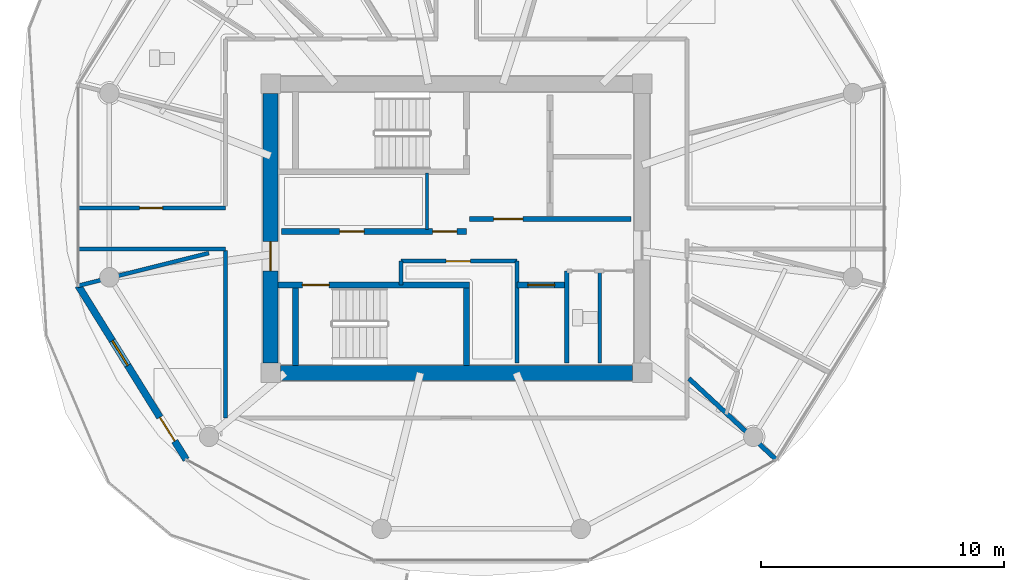
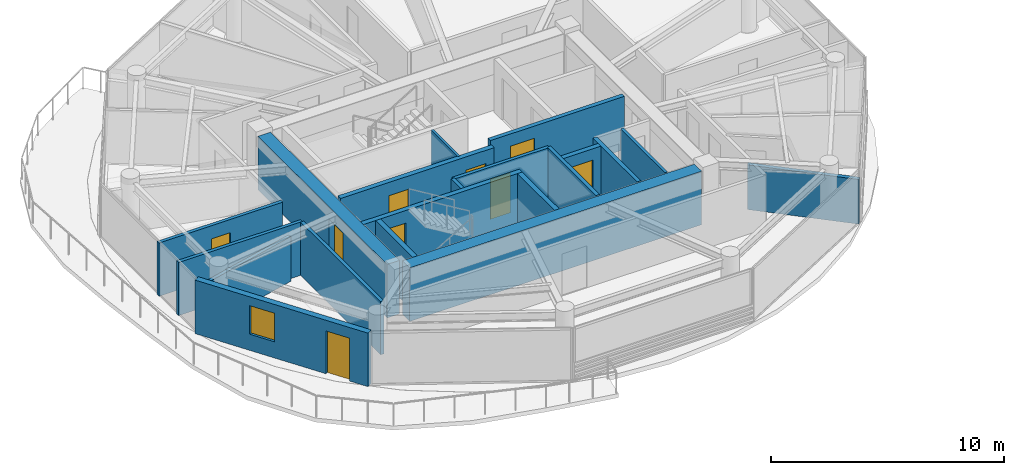
# One storey, part 13 of 25: 20 walls, 9 doors, 1 window, 10 openings.
"""IFC4 building model written with IfcOpenShell, lengths in metres."""

from ifc_helpers import new_model, si_unit, direction, frame, frame_2d, origin, place, context, subcontext, project, spatial, rectangle, extrude, source, transform, mapped, material, layer, layer_set, type_object, type_shapes, element, fill, save


model = new_model("IFC4")

# Units and contexts
model_context = context("Model", 3, precision=1e-05, world=origin(), true_north=direction((0.0, 1.0)))
body_context = subcontext(model_context, "Body", "Model", "MODEL_VIEW")
ifc_project = project(units=[si_unit("LENGTHUNIT", "METRE"), si_unit("AREAUNIT", "SQUARE_METRE"), si_unit("VOLUMEUNIT", "CUBIC_METRE"), si_unit("PLANEANGLEUNIT", "RADIAN"), si_unit("MASSUNIT", "GRAM", prefix="KILO")], contexts=[model_context])

# Site, building, storey
site_placement = place(None, origin())
site = spatial("IfcSite", under=ifc_project, at=site_placement, CompositionType="ELEMENT")
building_placement = place(site_placement, origin())
building = spatial("IfcBuilding", under=site, at=building_placement, Name="Norrkilde Senior Care Towers", CompositionType="ELEMENT")
storey_placement = place(building_placement, frame((0.0, 0.0, 161.75)))
storey = spatial("IfcBuildingStorey", under=building, at=storey_placement, Name="L50", CompositionType="ELEMENT", Elevation=161.75)

# Wall
ifc_material_1 = material(Name="Concrete C50/60", Category="concrete")
ifc_layer_1 = layer(ifc_material_1, 0.6201171875)
ifc_layer_set_1 = layer_set([ifc_layer_1], Name="Concrete C50/60")
wall_type_1 = type_object("IfcWallType", Name="Core Shear Wall Z3 620", PredefinedType="SHEAR", material=ifc_layer_set_1)
shared_shape_1 = source(origin(), body_context, "Body", "SweptSolid", [
    extrude(rectangle(XDim=14.5, YDim=0.6201171875, at=frame_2d((7.25, 0.0))), origin(), (0.0, 0.0, 1.0), 2.81005859375),
])
wall_1_placement = place(storey_placement, frame((-20.75, -5.949951171875, 0.0), z_axis=(0.0, 0.0, 1.0), x_axis=(-1.0, 0.0, 0.0)))
element("IfcWall", 1, at=wall_1_placement, inside=storey, type_object=wall_type_1, Name="L50 Core W South Shear Wall", PredefinedType="SHEAR", context=body_context, shape_type="MappedRepresentation", body=[
    mapped(shared_shape_1, transform((0.0, 0.0, 0.0), x_axis=(1.0, 0.0, 0.0), y_axis=(0.0, 1.0, 0.0), z_axis=(0.0, 0.0, 1.0), scale=1.0)),
])

# Wall, opening, door
shared_shape_2 = source(origin(), body_context, "Body", "SweptSolid", [
    extrude(rectangle(XDim=11.10009765625, YDim=0.6201171875, at=frame_2d((5.550048828125, 0.0))), origin(), (0.0, 0.0, 1.0), 2.81005859375),
])
type_shapes(wall_type_1, [shared_shape_1, shared_shape_2])
wall_2_placement = place(storey_placement, frame((-35.64990234375, -5.550048828125, 0.0), z_axis=(0.0, 0.0, 1.0), x_axis=(0.0, 1.0, 0.0)))
wall_2 = element("IfcWall", 2, at=wall_2_placement, inside=storey, type_object=wall_type_1, Name="L50 Core W West Shear Wall", PredefinedType="SHEAR", context=body_context, shape_type="MappedRepresentation", body=[
    mapped(shared_shape_2, transform((0.0, 0.0, 0.0), x_axis=(1.0, 0.0, 0.0), y_axis=(0.0, 1.0, 0.0), z_axis=(0.0, 0.0, 1.0), scale=1.0)),
])
opening_1_placement = place(wall_2_placement, frame((3.800048828125, 0.0, 0.0)))
opening_1 = element("IfcOpeningElement", 3, at=opening_1_placement, cuts=wall_2, Name="Opening D-04", PredefinedType="OPENING", context=body_context, shape_type="SweptSolid", body=[
    extrude(rectangle(XDim=1.199951171875, YDim=2.14990234375, at=frame_2d((0.60009765625, 1.074951171875))), frame((0.0, 0.320068359375, 0.0), z_axis=(0.0, -1.0, 0.0), x_axis=(1.0, 0.0, 0.0)), (0.0, 0.0, 1.0), 0.64013671875),
])
ifc_material_2 = material(Name="Galvanised Painted Steel", Category="steel")
door_type_1 = type_object("IfcDoorType", Name="Firefighting Lobby Fire Door 1200x2150", OperationType="NOTDEFINED", PredefinedType="DOOR", material=ifc_material_2)
shared_shape_3 = source(origin(), body_context, "Body", "SweptSolid", [
    extrude(rectangle(XDim=1.199951171875, YDim=2.14990234375, at=frame_2d((0.60009765625, 1.074951171875))), frame((0.0, 0.02490234375, 0.0), z_axis=(0.0, -1.0, 0.0), x_axis=(1.0, 0.0, 0.0)), (0.0, 0.0, 1.0), 0.050048828125),
])
type_shapes(door_type_1, [shared_shape_3])
door_1_placement = place(opening_1_placement, frame((1.199951171875, 0.0, 0.0), z_axis=(0.0, 0.0, 1.0), x_axis=(-1.0, 0.0, 0.0)))
door_1 = element("IfcDoor", 4, at=door_1_placement, inside=storey, type_object=door_type_1, Name="L50 Core W West Portal Door", OperationType="SINGLE_SWING_LEFT", OverallHeight=2.14990234375, OverallWidth=1.199951171875, PredefinedType="DOOR", context=body_context, shape_type="MappedRepresentation", body=[
    mapped(shared_shape_3, transform((0.0, 0.0, 0.0), x_axis=(1.0, 0.0, 0.0), y_axis=(0.0, 1.0, 0.0), z_axis=(0.0, 0.0, 1.0), scale=1.0)),
])
fill(opening_1, door_1)

# Wall, openings, door, window
ifc_material_3 = material(Name="Precast concrete C45/55", Category="concrete")
ifc_layer_2 = layer(ifc_material_3, 0.2900390625)
ifc_layer_set_2 = layer_set([ifc_layer_2], Name="Precast concrete C45/55")
wall_type_2 = type_object("IfcWallType", Name="Winter Garden Facade Wall 290", PredefinedType="SOLIDWALL", material=ifc_layer_set_2)
shared_shape_4 = source(origin(), body_context, "Body", "SweptSolid", [
    extrude(rectangle(XDim=8.431396484375, YDim=0.2900390625, at=frame_2d((4.2158203125, 0.0))), origin(), (0.0, 0.0, 1.0), 2.81005859375),
])
type_shapes(wall_type_2, [shared_shape_4])
wall_3_placement = place(storey_placement, frame((-39.123046875, -9.524169921875, 0.0), z_axis=(0.0, 0.0, 1.0), x_axis=(-0.527377998418, 0.849630770855, 0.0)))
wall_3 = element("IfcWall", 5, at=wall_3_placement, inside=storey, type_object=wall_type_2, Name="L50 Drum W Balcony Access Wall 06", PredefinedType="SOLIDWALL", context=body_context, shape_type="MappedRepresentation", body=[
    mapped(shared_shape_4, transform((0.0, 0.0, 0.0), x_axis=(1.0, 0.0, 0.0), y_axis=(0.0, 1.0, 0.0), z_axis=(0.0, 0.0, 1.0), scale=1.0)),
])
opening_2_placement = place(wall_3_placement, frame((0.89990234375, 0.0, 0.0)))
opening_2 = element("IfcOpeningElement", 6, at=opening_2_placement, cuts=wall_3, Name="Opening D-09", PredefinedType="OPENING", context=body_context, shape_type="SweptSolid", body=[
    extrude(rectangle(XDim=1.14990234375, YDim=2.25, at=frame_2d((0.574951171875, 1.125))), frame((0.0, 0.155029296875, 0.0), z_axis=(0.0, -1.0, 0.0), x_axis=(1.0, 0.0, 0.0)), (0.0, 0.0, 1.0), 0.31005859375),
])
opening_3_placement = place(wall_3_placement, frame((4.565673828125, 0.0, 0.85009765625)))
opening_3 = element("IfcOpeningElement", 7, at=opening_3_placement, cuts=wall_3, Name="Opening WN-07", PredefinedType="OPENING", context=body_context, shape_type="SweptSolid", body=[
    extrude(rectangle(XDim=1.199951171875, YDim=1.5, at=frame_2d((0.60009765625, 0.75))), frame((0.0, 0.155029296875, 0.0), z_axis=(0.0, -1.0, 0.0), x_axis=(1.0, 0.0, 0.0)), (0.0, 0.0, 1.0), 0.31005859375),
])
ifc_material_4 = material(Name="Anodised Aluminium", Category="aluminium")
door_type_2 = type_object("IfcDoorType", Name="Terrace and Balcony Glazed Door 1150x2250", OperationType="NOTDEFINED", PredefinedType="DOOR", material=ifc_material_4)
shared_shape_5 = source(origin(), body_context, "Body", "SweptSolid", [
    extrude(rectangle(XDim=1.14990234375, YDim=2.25, at=frame_2d((0.574951171875, 1.125))), frame((0.0, 0.02490234375, 0.0), z_axis=(0.0, -1.0, 0.0), x_axis=(1.0, 0.0, 0.0)), (0.0, 0.0, 1.0), 0.050048828125),
])
type_shapes(door_type_2, [shared_shape_5])
door_2_placement = place(opening_2_placement, origin())
door_2 = element("IfcDoor", 8, at=door_2_placement, inside=storey, type_object=door_type_2, Name="L50 Drum W Outdoor Terrace Door 06", OperationType="SINGLE_SWING_LEFT", OverallHeight=2.25, OverallWidth=1.14990234375, PredefinedType="DOOR", context=body_context, shape_type="MappedRepresentation", body=[
    mapped(shared_shape_5, transform((0.0, 0.0, 0.0), x_axis=(1.0, 0.0, 0.0), y_axis=(0.0, 1.0, 0.0), z_axis=(0.0, 0.0, 1.0), scale=1.0)),
])
fill(opening_2, door_2)
ifc_material_5 = material(Name="Triple Low-E Insulated Glazing", Category="glass")
window_type = type_object("IfcWindowType", Name="Stairwell Smoke Vent Window 1200x1500", PartitioningType="SINGLE_PANEL", PredefinedType="WINDOW", material=ifc_material_5)
shared_shape_6 = source(origin(), body_context, "Body", "SweptSolid", [
    extrude(rectangle(XDim=1.199951171875, YDim=1.5, at=frame_2d((0.60009765625, 0.75))), frame((0.0, 0.030029296875, 0.0), z_axis=(0.0, -1.0, 0.0), x_axis=(1.0, 0.0, 0.0)), (0.0, 0.0, 1.0), 0.06005859375),
])
type_shapes(window_type, [shared_shape_6])
window_placement = place(opening_3_placement, origin())
window = element("IfcWindow", 9, at=window_placement, inside=storey, type_object=window_type, Name="L50 Drum W Winter Garden Window 06", OverallHeight=1.5, OverallWidth=1.199951171875, PartitioningType="SINGLE_PANEL", PredefinedType="WINDOW", context=body_context, shape_type="MappedRepresentation", body=[
    mapped(shared_shape_6, transform((0.0, 0.0, 0.0), x_axis=(1.0, 0.0, 0.0), y_axis=(0.0, 1.0, 0.0), z_axis=(0.0, 0.0, 1.0), scale=1.0)),
])
fill(opening_3, window)

# Wall, opening, door
ifc_material_6 = material(Name="Concrete C45/55", Category="concrete")
ifc_layer_3 = layer(ifc_material_6, 0.239990234375)
ifc_layer_set_3 = layer_set([ifc_layer_3], Name="Concrete C45/55")
wall_type_3 = type_object("IfcWallType", Name="Shaft and Stair Enclosure Wall 240", PredefinedType="PARTITIONING", material=ifc_layer_set_3)
shared_shape_7 = source(origin(), body_context, "Body", "SweptSolid", [
    extrude(rectangle(XDim=7.880126953125, YDim=0.239990234375, at=frame_2d((3.93994140625, 0.0))), origin(), (0.0, 0.0, 1.0), 2.81005859375),
])
wall_4_placement = place(storey_placement, frame((-35.340087890625, -2.330078125, 0.0), z_axis=(0.0, 0.0, 1.0), x_axis=(1.0, 0.0, 0.0)))
wall_4 = element("IfcWall", 10, at=wall_4_placement, inside=storey, type_object=wall_type_3, Name="WL-INT-L50-W-ST2N", PredefinedType="PARTITIONING", context=body_context, shape_type="MappedRepresentation", body=[
    mapped(shared_shape_7, transform((0.0, 0.0, 0.0), x_axis=(1.0, 0.0, 0.0), y_axis=(0.0, 1.0, 0.0), z_axis=(0.0, 0.0, 1.0), scale=1.0)),
])
opening_4_placement = place(wall_4_placement, frame((1.0, 0.0, 0.0)))
opening_4 = element("IfcOpeningElement", 11, at=opening_4_placement, cuts=wall_4, Name="Opening D-03", PredefinedType="OPENING", context=body_context, shape_type="SweptSolid", body=[
    extrude(rectangle(XDim=1.10009765625, YDim=2.14990234375, at=frame_2d((0.550048828125, 1.074951171875))), frame((0.0, 0.1298828125, 0.0), z_axis=(0.0, -1.0, 0.0), x_axis=(1.0, 0.0, 0.0)), (0.0, 0.0, 1.0), 0.260009765625),
])
door_type_3 = type_object("IfcDoorType", Name="Stairwell Protected Fire Door 1100x2150", OperationType="NOTDEFINED", PredefinedType="DOOR", material=ifc_material_2)
shared_shape_8 = source(origin(), body_context, "Body", "SweptSolid", [
    extrude(rectangle(XDim=1.10009765625, YDim=2.14990234375, at=frame_2d((0.550048828125, 1.074951171875))), frame((0.0, 0.02490234375, 0.0), z_axis=(0.0, -1.0, 0.0), x_axis=(1.0, 0.0, 0.0)), (0.0, 0.0, 1.0), 0.050048828125),
])
type_shapes(door_type_3, [shared_shape_8])
door_3_placement = place(opening_4_placement, frame((1.10009765625, 0.0, 0.0), z_axis=(0.0, 0.0, 1.0), x_axis=(-1.0, 0.0, 0.0)))
door_3 = element("IfcDoor", 12, at=door_3_placement, inside=storey, type_object=door_type_3, Name="L50 Stair W2 Fire Door", OperationType="SINGLE_SWING_RIGHT", OverallHeight=2.14990234375, OverallWidth=1.10009765625, PredefinedType="DOOR", context=body_context, shape_type="MappedRepresentation", body=[
    mapped(shared_shape_8, transform((0.0, 0.0, 0.0), x_axis=(1.0, 0.0, 0.0), y_axis=(0.0, 1.0, 0.0), z_axis=(0.0, 0.0, 1.0), scale=1.0)),
])
fill(opening_4, door_3)

# Walls
shared_shape_9 = source(origin(), body_context, "Body", "SweptSolid", [
    extrude(rectangle(XDim=3.18994140625, YDim=0.239990234375, at=frame_2d((1.594970703125, 0.0))), origin(), (0.0, 0.0, 1.0), 2.81005859375),
])
type_shapes(wall_type_3, [shared_shape_7, shared_shape_9])
for number, where, z_axis, x_axis, name in (
    (13, (-34.6201171875, -5.639892578125, 0.0), (0.0, 0.0, 1.0), (0.0, 1.0, 0.0), "WL-INT-L50-W-ST2W"),
    (14, (-27.580078125, -5.639892578125, 0.0), (0.0, 0.0, 1.0), (0.0, 1.0, 0.0), "WL-INT-L50-W-ST2E"),
):
    element("IfcWall", number, at=place(storey_placement, frame(where, z_axis=z_axis, x_axis=x_axis)), inside=storey, type_object=wall_type_3, Name=name, PredefinedType="PARTITIONING", context=body_context, shape_type="MappedRepresentation", body=[
        mapped(shared_shape_9, transform((0.0, 0.0, 0.0), x_axis=(1.0, 0.0, 0.0), y_axis=(0.0, 1.0, 0.0), z_axis=(0.0, 0.0, 1.0), scale=1.0)),
    ])

# Wall, opening, door
ifc_layer_4 = layer(ifc_material_6, 0.2099609375)
ifc_layer_set_4 = layer_set([ifc_layer_4], Name="Concrete C45/55")
wall_type_4 = type_object("IfcWallType", Name="Firefighting Lobby Wall 210", PredefinedType="PARTITIONING", material=ifc_layer_set_4)
shared_shape_10 = source(origin(), body_context, "Body", "SweptSolid", [
    extrude(rectangle(XDim=6.659912109375, YDim=0.2099609375, at=frame_2d((3.330078125, 0.0))), origin(), (0.0, 0.0, 1.0), 2.794921875),
])
type_shapes(wall_type_4, [shared_shape_10])
wall_5_placement = place(storey_placement, frame((-27.4599609375, 0.389892578125, 0.0), z_axis=(0.0, 0.0, 1.0), x_axis=(1.0, 0.0, 0.0)))
wall_5 = element("IfcWall", 15, at=wall_5_placement, inside=storey, type_object=wall_type_4, Name="WL-INT-L50-W-FFLS", PredefinedType="PARTITIONING", context=body_context, shape_type="MappedRepresentation", body=[
    mapped(shared_shape_10, transform((0.0, 0.0, 0.0), x_axis=(1.0, 0.0, 0.0), y_axis=(0.0, 1.0, 0.0), z_axis=(0.0, 0.0, 1.0), scale=1.0)),
])
opening_5_placement = place(wall_5_placement, frame((1.0, 0.0, 0.0)))
opening_5 = element("IfcOpeningElement", 16, at=opening_5_placement, cuts=wall_5, Name="Opening D-04", PredefinedType="OPENING", context=body_context, shape_type="SweptSolid", body=[
    extrude(rectangle(XDim=1.199951171875, YDim=2.14990234375, at=frame_2d((0.60009765625, 1.074951171875))), frame((0.0, 0.114990234375, 0.0), z_axis=(0.0, -1.0, 0.0), x_axis=(1.0, 0.0, 0.0)), (0.0, 0.0, 1.0), 0.22998046875),
])
door_4_placement = place(opening_5_placement, frame((1.199951171875, 0.0, 0.0), z_axis=(0.0, 0.0, 1.0), x_axis=(-1.0, 0.0, 0.0)))
door_4 = element("IfcDoor", 17, at=door_4_placement, inside=storey, type_object=door_type_1, Name="L50 Firefighting Lobby W Door", OperationType="SINGLE_SWING_LEFT", OverallHeight=2.14990234375, OverallWidth=1.199951171875, PredefinedType="DOOR", context=body_context, shape_type="MappedRepresentation", body=[
    mapped(shared_shape_3, transform((0.0, 0.0, 0.0), x_axis=(1.0, 0.0, 0.0), y_axis=(0.0, 1.0, 0.0), z_axis=(0.0, 0.0, 1.0), scale=1.0)),
])
fill(opening_5, door_4)

# Wall, openings, doors
ifc_layer_5 = layer(ifc_material_6, 0.239990234375)
ifc_layer_set_5 = layer_set([ifc_layer_5], Name="Concrete C45/55")
wall_type_5 = type_object("IfcWallType", Name="Lift and Plant Rated Enclosure Partition 240", PredefinedType="PARTITIONING", material=ifc_layer_set_5)
shared_shape_11 = source(origin(), body_context, "Body", "SweptSolid", [
    extrude(rectangle(XDim=7.619873046875, YDim=0.239990234375, at=frame_2d((3.81005859375, 0.0))), origin(), (0.0, 0.0, 1.0), 2.794921875),
])
wall_6_placement = place(storey_placement, frame((-35.199951171875, -0.1298828125, 0.0), z_axis=(0.0, 0.0, 1.0), x_axis=(1.0, 0.0, 0.0)))
wall_6 = element("IfcWall", 18, at=wall_6_placement, inside=storey, type_object=wall_type_5, Name="WL-INT-L50-W-PKAS", PredefinedType="PARTITIONING", context=body_context, shape_type="MappedRepresentation", body=[
    mapped(shared_shape_11, transform((0.0, 0.0, 0.0), x_axis=(1.0, 0.0, 0.0), y_axis=(0.0, 1.0, 0.0), z_axis=(0.0, 0.0, 1.0), scale=1.0)),
])
opening_6_placement = place(wall_6_placement, frame((6.219970703125, 0.0, 0.0)))
opening_6 = element("IfcOpeningElement", 19, at=opening_6_placement, cuts=wall_6, Name="Opening D-10", PredefinedType="OPENING", context=body_context, shape_type="SweptSolid", body=[
    extrude(rectangle(XDim=1.0, YDim=2.10009765625, at=frame_2d((0.5, 1.050048828125))), frame((0.0, 0.1298828125, 0.0), z_axis=(0.0, -1.0, 0.0), x_axis=(1.0, 0.0, 0.0)), (0.0, 0.0, 1.0), 0.260009765625),
])
opening_7_placement = place(wall_6_placement, frame((2.39990234375, 0.0, 0.0)))
opening_7 = element("IfcOpeningElement", 20, at=opening_7_placement, cuts=wall_6, Name="Opening D-10", PredefinedType="OPENING", context=body_context, shape_type="SweptSolid", body=[
    extrude(rectangle(XDim=1.0, YDim=2.10009765625, at=frame_2d((0.5, 1.050048828125))), frame((0.0, 0.1298828125, 0.0), z_axis=(0.0, -1.0, 0.0), x_axis=(1.0, 0.0, 0.0)), (0.0, 0.0, 1.0), 0.260009765625),
])
door_type_4 = type_object("IfcDoorType", Name="Plant and Riser Rated Door 1000x2100", OperationType="NOTDEFINED", PredefinedType="DOOR", material=ifc_material_2)
shared_shape_12 = source(origin(), body_context, "Body", "SweptSolid", [
    extrude(rectangle(XDim=1.0, YDim=2.10009765625, at=frame_2d((0.5, 1.050048828125))), frame((0.0, 0.02490234375, 0.0), z_axis=(0.0, -1.0, 0.0), x_axis=(1.0, 0.0, 0.0)), (0.0, 0.0, 1.0), 0.050048828125),
])
type_shapes(door_type_4, [shared_shape_12])
door_5_placement = place(opening_6_placement, frame((1.0, 0.0, 0.0), z_axis=(0.0, 0.0, 1.0), x_axis=(-1.0, 0.0, 0.0)))
door_5 = element("IfcDoor", 21, at=door_5_placement, inside=storey, type_object=door_type_4, Name="L50 Electrical Riser W Door", OperationType="SINGLE_SWING_LEFT", OverallHeight=2.10009765625, OverallWidth=1.0, PredefinedType="DOOR", context=body_context, shape_type="MappedRepresentation", body=[
    mapped(shared_shape_12, transform((0.0, 0.0, 0.0), x_axis=(1.0, 0.0, 0.0), y_axis=(0.0, 1.0, 0.0), z_axis=(0.0, 0.0, 1.0), scale=1.0)),
])
fill(opening_6, door_5)
door_6_placement = place(opening_7_placement, frame((1.0, 0.0, 0.0), z_axis=(0.0, 0.0, 1.0), x_axis=(-1.0, 0.0, 0.0)))
door_6 = element("IfcDoor", 22, at=door_6_placement, inside=storey, type_object=door_type_4, Name="L50 Clean Supply Store W Door", OperationType="SINGLE_SWING_LEFT", OverallHeight=2.10009765625, OverallWidth=1.0, PredefinedType="DOOR", context=body_context, shape_type="MappedRepresentation", body=[
    mapped(shared_shape_12, transform((0.0, 0.0, 0.0), x_axis=(1.0, 0.0, 0.0), y_axis=(0.0, 1.0, 0.0), z_axis=(0.0, 0.0, 1.0), scale=1.0)),
])
fill(opening_7, door_6)

# Walls
ifc_material_7 = material(Name="Gypsum Acoustic Board")
ifc_layer_6 = layer(ifc_material_7, 0.114990234375)
ifc_layer_set_6 = layer_set([ifc_layer_6], Name="Gypsum Acoustic Board")
wall_type_6 = type_object("IfcWallType", Name="Internal Room Partition 115", PredefinedType="PARTITIONING", material=ifc_layer_set_6)
shared_shape_13 = source(origin(), body_context, "Body", "SweptSolid", [
    extrude(rectangle(XDim=2.330078125, YDim=0.114990234375, at=frame_2d((1.1650390625, 0.0))), origin(), (0.0, 0.0, 1.0), 2.794921875),
])
type_shapes(wall_type_6, [shared_shape_13])
wall_7_placement = place(storey_placement, frame((-29.2099609375, -0.050048828125, 0.0), z_axis=(0.0, 0.0, 1.0), x_axis=(0.0, 1.0, 0.0)))
element("IfcWall", 23, at=wall_7_placement, inside=storey, type_object=wall_type_6, Name="WL-INT-L50-W-RISW", PredefinedType="PARTITIONING", context=body_context, shape_type="MappedRepresentation", body=[
    mapped(shared_shape_13, transform((0.0, 0.0, 0.0), x_axis=(1.0, 0.0, 0.0), y_axis=(0.0, 1.0, 0.0), z_axis=(0.0, 0.0, 1.0), scale=1.0)),
])
ifc_layer_7 = layer(ifc_material_6, 0.199951171875)
ifc_layer_set_7 = layer_set([ifc_layer_7], Name="Concrete C45/55")
wall_type_7 = type_object("IfcWallType", Name="Shaft Division and Plant Partition 200", PredefinedType="PARTITIONING", material=ifc_layer_set_7)
shared_shape_14 = source(origin(), body_context, "Body", "SweptSolid", [
    extrude(rectangle(XDim=3.800048828125, YDim=0.199951171875, at=frame_2d((1.89990234375, 0.0))), origin(), (0.0, 0.0, 1.0), 2.794921875),
])
type_shapes(wall_type_7, [shared_shape_14])
wall_8_placement = place(storey_placement, frame((-23.449951171875, -5.550048828125, 0.0), z_axis=(0.0, 0.0, 1.0), x_axis=(0.0, 1.0, 0.0)))
element("IfcWall", 24, at=wall_8_placement, inside=storey, type_object=wall_type_7, Name="WL-INT-L50-W-PKBE", PredefinedType="PARTITIONING", context=body_context, shape_type="MappedRepresentation", body=[
    mapped(shared_shape_14, transform((0.0, 0.0, 0.0), x_axis=(1.0, 0.0, 0.0), y_axis=(0.0, 1.0, 0.0), z_axis=(0.0, 0.0, 1.0), scale=1.0)),
])
ifc_layer_8 = layer(ifc_material_7, 0.139892578125)
ifc_layer_set_8 = layer_set([ifc_layer_8], Name="Gypsum Acoustic Board")
wall_type_8 = type_object("IfcWallType", Name="En-suite Wet Room Wall 140", PredefinedType="PARTITIONING", material=ifc_layer_set_8)
shared_shape_15 = source(origin(), body_context, "Body", "SweptSolid", [
    extrude(rectangle(XDim=3.800048828125, YDim=0.139892578125, at=frame_2d((1.89990234375, 0.0))), origin(), (0.0, 0.0, 1.0), 2.794921875),
])
type_shapes(wall_type_8, [shared_shape_15])
wall_9_placement = place(storey_placement, frame((-22.10009765625, -5.550048828125, 0.0), z_axis=(0.0, 0.0, 1.0), x_axis=(0.0, 1.0, 0.0)))
element("IfcWall", 25, at=wall_9_placement, inside=storey, type_object=wall_type_8, Name="WL-INT-L50-W-CS1V", PredefinedType="PARTITIONING", context=body_context, shape_type="MappedRepresentation", body=[
    mapped(shared_shape_15, transform((0.0, 0.0, 0.0), x_axis=(1.0, 0.0, 0.0), y_axis=(0.0, 1.0, 0.0), z_axis=(0.0, 0.0, 1.0), scale=1.0)),
])
ifc_layer_9 = layer(ifc_material_7, 0.18994140625)
ifc_layer_set_9 = layer_set([ifc_layer_9], Name="Gypsum Acoustic Board")
wall_type_9 = type_object("IfcWallType", Name="Unit Demising Acoustic Wall 190", PredefinedType="PARTITIONING", material=ifc_layer_set_9)
shared_shape_16 = source(origin(), body_context, "Body", "SweptSolid", [
    extrude(rectangle(XDim=4.926513671875, YDim=0.18994140625, at=frame_2d((2.46337890625, 0.0))), origin(), (0.0, 0.0, 1.0), 2.344970703125),
])
type_shapes(wall_type_9, [shared_shape_16])
wall_10_placement = place(storey_placement, frame((-18.419921875, -6.182861328125, 0.0), z_axis=(0.0, 0.0, 1.0), x_axis=(0.732191335987, -0.681098999783, 0.0)))
element("IfcWall", 26, at=wall_10_placement, inside=storey, type_object=wall_type_9, Name="WL-INT-L50-W-DEM-10-0", PredefinedType="PARTITIONING", context=body_context, shape_type="MappedRepresentation", body=[
    mapped(shared_shape_16, transform((0.0, 0.0, 0.0), x_axis=(1.0, 0.0, 0.0), y_axis=(0.0, 1.0, 0.0), z_axis=(0.0, 0.0, 1.0), scale=1.0)),
])
ifc_layer_10 = layer(ifc_material_7, 0.1650390625)
ifc_layer_set_10 = layer_set([ifc_layer_10], Name="Gypsum Acoustic Board")
wall_type_10 = type_object("IfcWallType", Name="Corridor Rated Partition 165", PredefinedType="PARTITIONING", material=ifc_layer_set_10)
shared_shape_17 = source(origin(), body_context, "Body", "SweptSolid", [
    extrude(rectangle(XDim=5.564208984375, YDim=0.1650390625, at=frame_2d((2.7822265625, 0.0))), origin(), (0.0, 0.0, 1.0), 2.344970703125),
])
wall_11_placement = place(storey_placement, frame((-38.18994140625, -1.02001953125, 0.0), z_axis=(0.0, 0.0, 1.0), x_axis=(-0.97031260977, -0.241854169533, 0.0)))
element("IfcWall", 27, at=wall_11_placement, inside=storey, type_object=wall_type_10, Name="WL-INT-L50-W-DEM-06-0", PredefinedType="PARTITIONING", context=body_context, shape_type="MappedRepresentation", body=[
    mapped(shared_shape_17, transform((0.0, 0.0, 0.0), x_axis=(1.0, 0.0, 0.0), y_axis=(0.0, 1.0, 0.0), z_axis=(0.0, 0.0, 1.0), scale=1.0)),
])

# Wall, opening, door
shared_shape_18 = source(origin(), body_context, "Body", "SweptSolid", [
    extrude(rectangle(XDim=2.050048828125, YDim=0.239990234375, at=frame_2d((1.02490234375, 0.0))), origin(), (0.0, 0.0, 1.0), 2.794921875),
])
type_shapes(wall_type_5, [shared_shape_11, shared_shape_18])
wall_12_placement = place(storey_placement, frame((-25.5, -2.330078125, 0.0), z_axis=(0.0, 0.0, 1.0), x_axis=(1.0, 0.0, 0.0)))
wall_12 = element("IfcWall", 28, at=wall_12_placement, inside=storey, type_object=wall_type_5, Name="WL-INT-L50-W-PL4N", PredefinedType="PARTITIONING", context=body_context, shape_type="MappedRepresentation", body=[
    mapped(shared_shape_18, transform((0.0, 0.0, 0.0), x_axis=(1.0, 0.0, 0.0), y_axis=(0.0, 1.0, 0.0), z_axis=(0.0, 0.0, 1.0), scale=1.0)),
])
opening_8_placement = place(wall_12_placement, frame((0.449951171875, 0.0, 0.0)))
opening_8 = element("IfcOpeningElement", 29, at=opening_8_placement, cuts=wall_12, Name="Opening LD-01", PredefinedType="OPENING", context=body_context, shape_type="SweptSolid", body=[
    extrude(rectangle(XDim=1.10009765625, YDim=2.199951171875, at=frame_2d((0.550048828125, 1.10009765625))), frame((0.0, 0.1298828125, 0.0), z_axis=(0.0, -1.0, 0.0), x_axis=(1.0, 0.0, 0.0)), (0.0, 0.0, 1.0), 0.260009765625),
])
ifc_material_8 = material(Name="Stainless Steel", Category="steel")
door_type_5 = type_object("IfcDoorType", Name="Lift Landing Sliding Door 1100x2200", OperationType="NOTDEFINED", PredefinedType="DOOR", material=ifc_material_8)
shared_shape_19 = source(origin(), body_context, "Body", "SweptSolid", [
    extrude(rectangle(XDim=1.10009765625, YDim=2.199951171875, at=frame_2d((0.550048828125, 1.10009765625))), frame((0.0, 0.02490234375, 0.0), z_axis=(0.0, -1.0, 0.0), x_axis=(1.0, 0.0, 0.0)), (0.0, 0.0, 1.0), 0.050048828125),
])
type_shapes(door_type_5, [shared_shape_19])
door_7_placement = place(opening_8_placement, frame((1.10009765625, 0.0, 0.0), z_axis=(0.0, 0.0, 1.0), x_axis=(-1.0, 0.0, 0.0)))
door_7 = element("IfcDoor", 30, at=door_7_placement, inside=storey, type_object=door_type_5, Name="L50 Passenger Lift W4 Landing Door", OperationType="SLIDING_TO_RIGHT", OverallHeight=2.199951171875, OverallWidth=1.10009765625, PredefinedType="DOOR", context=body_context, shape_type="MappedRepresentation", body=[
    mapped(shared_shape_19, transform((0.0, 0.0, 0.0), x_axis=(1.0, 0.0, 0.0), y_axis=(0.0, 1.0, 0.0), z_axis=(0.0, 0.0, 1.0), scale=1.0)),
])
fill(opening_8, door_7)

# Wall
ifc_layer_11 = layer(ifc_material_6, 0.179931640625)
ifc_layer_set_11 = layer_set([ifc_layer_11], Name="Concrete C45/55")
wall_type_11 = type_object("IfcWallType", Name="Hoistway Division Rated Partition 180", PredefinedType="PARTITIONING", material=ifc_layer_set_11)
shared_shape_20 = source(origin(), body_context, "Body", "SweptSolid", [
    extrude(rectangle(XDim=4.199951171875, YDim=0.179931640625, at=frame_2d((2.10009765625, 0.0))), origin(), (0.0, 0.0, 1.0), 2.794921875),
])
type_shapes(wall_type_11, [shared_shape_20])
wall_13_placement = place(storey_placement, frame((-25.5, -5.550048828125, 0.0), z_axis=(0.0, 0.0, 1.0), x_axis=(0.0, 1.0, 0.0)))
element("IfcWall", 31, at=wall_13_placement, inside=storey, type_object=wall_type_11, Name="WL-INT-L50-W-PL4W", PredefinedType="PARTITIONING", context=body_context, shape_type="MappedRepresentation", body=[
    mapped(shared_shape_20, transform((0.0, 0.0, 0.0), x_axis=(1.0, 0.0, 0.0), y_axis=(0.0, 1.0, 0.0), z_axis=(0.0, 0.0, 1.0), scale=1.0)),
])

# Wall, opening, door
shared_shape_21 = source(origin(), body_context, "Body", "SweptSolid", [
    extrude(rectangle(XDim=4.77001953125, YDim=0.1650390625, at=frame_2d((2.385009765625, 0.0))), origin(), (0.0, 0.0, 1.0), 2.794921875),
])
wall_14_placement = place(storey_placement, frame((-30.27001953125, -1.35009765625, 0.0), z_axis=(0.0, 0.0, 1.0), x_axis=(1.0, 0.0, 0.0)))
wall_14 = element("IfcWall", 32, at=wall_14_placement, inside=storey, type_object=wall_type_10, Name="WL-INT-L50-W-FR2N", PredefinedType="PARTITIONING", context=body_context, shape_type="MappedRepresentation", body=[
    mapped(shared_shape_21, transform((0.0, 0.0, 0.0), x_axis=(1.0, 0.0, 0.0), y_axis=(0.0, 1.0, 0.0), z_axis=(0.0, 0.0, 1.0), scale=1.0)),
])
opening_9_placement = place(wall_14_placement, frame((1.85009765625, 0.0, 0.0)))
opening_9 = element("IfcOpeningElement", 33, at=opening_9_placement, cuts=wall_14, Name="Opening D-10", PredefinedType="OPENING", context=body_context, shape_type="SweptSolid", body=[
    extrude(rectangle(XDim=1.0, YDim=2.10009765625, at=frame_2d((0.5, 1.050048828125))), frame((0.0, 0.092529296875, 0.0), z_axis=(0.0, -1.0, 0.0), x_axis=(1.0, 0.0, 0.0)), (0.0, 0.0, 1.0), 0.18505859375),
])
door_8_placement = place(opening_9_placement, origin())
door_8 = element("IfcDoor", 34, at=door_8_placement, inside=storey, type_object=door_type_4, Name="L50 Core Pantry W Door", OperationType="SINGLE_SWING_RIGHT", OverallHeight=2.10009765625, OverallWidth=1.0, PredefinedType="DOOR", context=body_context, shape_type="MappedRepresentation", body=[
    mapped(shared_shape_12, transform((0.0, 0.0, 0.0), x_axis=(1.0, 0.0, 0.0), y_axis=(0.0, 1.0, 0.0), z_axis=(0.0, 0.0, 1.0), scale=1.0)),
])
fill(opening_9, door_8)

# Walls
shared_shape_22 = source(origin(), body_context, "Body", "SweptSolid", [
    extrude(rectangle(XDim=0.97998046875, YDim=0.1650390625, at=frame_2d((0.489990234375, 0.0))), origin(), (0.0, 0.0, 1.0), 2.794921875),
])
wall_15_placement = place(storey_placement, frame((-30.27001953125, -2.330078125, 0.0), z_axis=(0.0, 0.0, 1.0), x_axis=(0.0, 1.0, 0.0)))
element("IfcWall", 35, at=wall_15_placement, inside=storey, type_object=wall_type_10, Name="WL-INT-L50-W-FR2W", PredefinedType="PARTITIONING", context=body_context, shape_type="MappedRepresentation", body=[
    mapped(shared_shape_22, transform((0.0, 0.0, 0.0), x_axis=(1.0, 0.0, 0.0), y_axis=(0.0, 1.0, 0.0), z_axis=(0.0, 0.0, 1.0), scale=1.0)),
])
shared_shape_23 = source(origin(), body_context, "Body", "SweptSolid", [
    extrude(rectangle(XDim=6.880126953125, YDim=0.1650390625, at=frame_2d((3.43994140625, 0.0))), origin(), (0.0, 0.0, 1.0), 2.794921875),
])
wall_16_placement = place(storey_placement, frame((-37.5, -7.800048828125, 0.0), z_axis=(0.0, 0.0, 1.0), x_axis=(0.0, 1.0, 0.0)))
element("IfcWall", 36, at=wall_16_placement, inside=storey, type_object=wall_type_10, Name="WL-INT-L50-W-CRW-W-0", PredefinedType="PARTITIONING", context=body_context, shape_type="MappedRepresentation", body=[
    mapped(shared_shape_23, transform((0.0, 0.0, 0.0), x_axis=(1.0, 0.0, 0.0), y_axis=(0.0, 1.0, 0.0), z_axis=(0.0, 0.0, 1.0), scale=1.0)),
])

# Wall, opening, door
shared_shape_24 = source(origin(), body_context, "Body", "SweptSolid", [
    extrude(rectangle(XDim=6.138916015625, YDim=0.1650390625, at=frame_2d((3.0693359375, 0.0))), origin(), (0.0, 0.0, 1.0), 2.794921875),
])
type_shapes(wall_type_10, [shared_shape_17, shared_shape_21, shared_shape_22, shared_shape_23, shared_shape_24])
wall_17_placement = place(storey_placement, frame((-43.638916015625, 0.840087890625, 0.0), z_axis=(0.0, 0.0, 1.0), x_axis=(1.0, 0.0, 0.0)))
wall_17 = element("IfcWall", 37, at=wall_17_placement, inside=storey, type_object=wall_type_10, Name="WL-INT-L50-W-SPK-W1-0", PredefinedType="PARTITIONING", context=body_context, shape_type="MappedRepresentation", body=[
    mapped(shared_shape_24, transform((0.0, 0.0, 0.0), x_axis=(1.0, 0.0, 0.0), y_axis=(0.0, 1.0, 0.0), z_axis=(0.0, 0.0, 1.0), scale=1.0)),
])
opening_10_placement = place(wall_17_placement, frame((2.594482421875, 0.0, 0.0)))
opening_10 = element("IfcOpeningElement", 38, at=opening_10_placement, cuts=wall_17, Name="Opening D-07", PredefinedType="OPENING", context=body_context, shape_type="SweptSolid", body=[
    extrude(rectangle(XDim=0.949951171875, YDim=2.10009765625, at=frame_2d((0.47509765625, 1.050048828125))), frame((0.0, 0.092529296875, 0.0), z_axis=(0.0, -1.0, 0.0), x_axis=(1.0, 0.0, 0.0)), (0.0, 0.0, 1.0), 0.18505859375),
])
ifc_material_9 = material(Name="Nordic Ash Timber", Category="wood")
door_type_6 = type_object("IfcDoorType", Name="Internal Suite Bedroom Door 950x2100", OperationType="NOTDEFINED", PredefinedType="DOOR", material=ifc_material_9)
shared_shape_25 = source(origin(), body_context, "Body", "SweptSolid", [
    extrude(rectangle(XDim=0.949951171875, YDim=2.10009765625, at=frame_2d((0.47509765625, 1.050048828125))), frame((0.0, 0.02490234375, 0.0), z_axis=(0.0, -1.0, 0.0), x_axis=(1.0, 0.0, 0.0)), (0.0, 0.0, 1.0), 0.050048828125),
])
type_shapes(door_type_6, [shared_shape_25])
door_9_placement = place(opening_10_placement, frame((0.949951171875, 0.0, 0.0), z_axis=(0.0, 0.0, 1.0), x_axis=(-1.0, 0.0, 0.0)))
door_9 = element("IfcDoor", 39, at=door_9_placement, inside=storey, type_object=door_type_6, Name="L50 Sun Reading Lounge 2 Door", OperationType="SINGLE_SWING_LEFT", OverallHeight=2.10009765625, OverallWidth=0.949951171875, PredefinedType="DOOR", context=body_context, shape_type="MappedRepresentation", body=[
    mapped(shared_shape_25, transform((0.0, 0.0, 0.0), x_axis=(1.0, 0.0, 0.0), y_axis=(0.0, 1.0, 0.0), z_axis=(0.0, 0.0, 1.0), scale=1.0)),
])
fill(opening_10, door_9)

# Wall
wall_18_placement = place(storey_placement, frame((-37.5, -0.840087890625, 0.0), z_axis=(0.0, 0.0, 1.0), x_axis=(-1.0, 0.0, 0.0)))
element("IfcWall", 40, at=wall_18_placement, inside=storey, type_object=wall_type_10, Name="WL-INT-L50-W-SPK-W2-0", PredefinedType="PARTITIONING", context=body_context, shape_type="MappedRepresentation", body=[
    mapped(shared_shape_24, transform((0.0, 0.0, 0.0), x_axis=(1.0, 0.0, 0.0), y_axis=(0.0, 1.0, 0.0), z_axis=(0.0, 0.0, 1.0), scale=1.0)),
])

save(model, "model.ifc")
